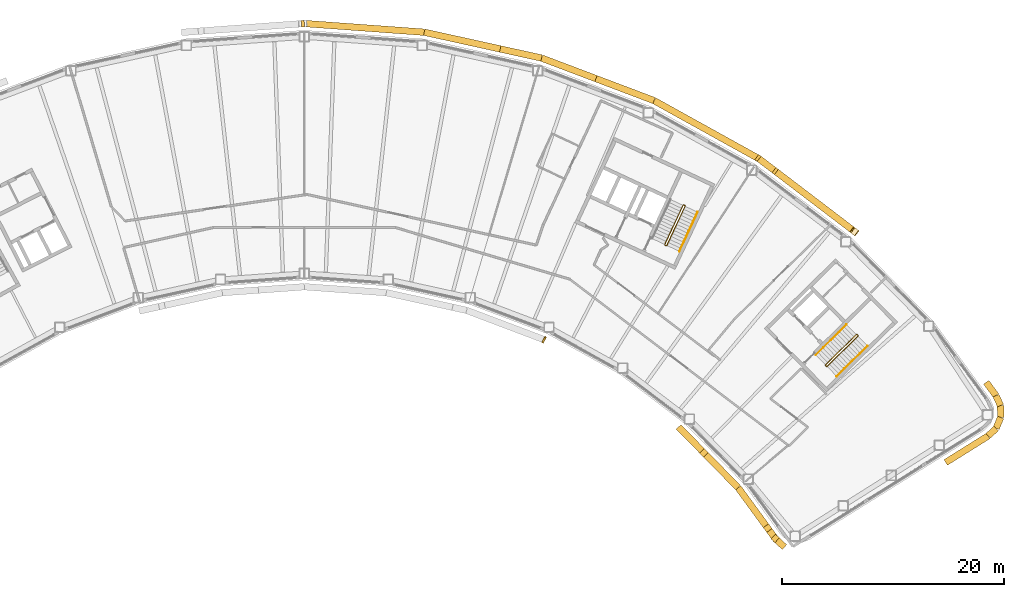
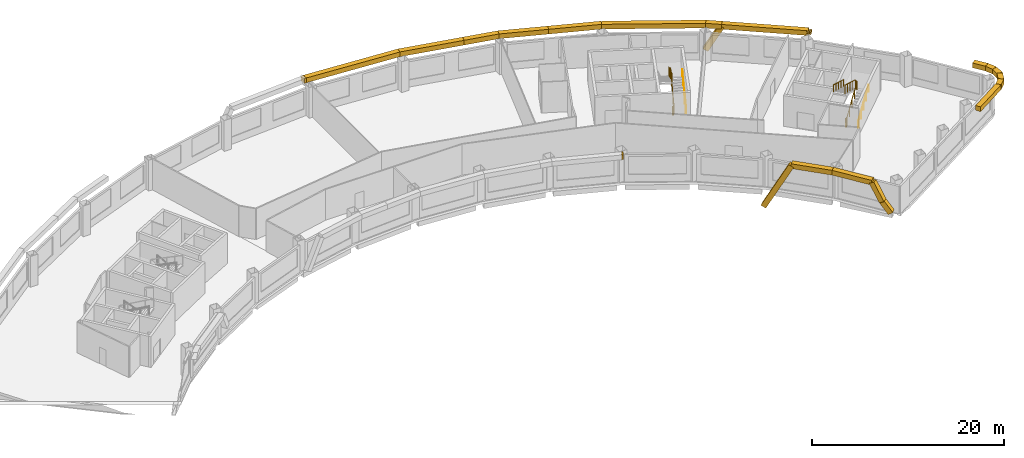
# One storey, part 12 of 12: 24 coverings, 5 railings.
"""IFC4 building model written with IfcOpenShell, lengths in metres."""

import ifcopenshell
import ifcopenshell.guid

model = None  # the IFC model being written
_history = None  # IfcOwnerHistory: only IFC2X3 demands one
_inside = {}  # id of a spatial element -> (the spatial element, [elements in it])
_under = {}  # id of a project, library or spatial element -> (it, [spatial elements below it])
_declared = {}  # id of a project -> (the project, [libraries it declares])
_typed = {}  # id of a type object -> (the type object, [elements of that type])
_made_of = {}  # id of a material, layer set ... -> (it, [elements and type objects made of it])


def new_model(schema):
    """Start an empty IFC model of exactly this schema.

    Asked for "IFC4X3", IfcOpenShell would pick the latest addendum, in which some entities
    have other attributes; the version numbers below select the first issue.
    IFC2X3 requires an IfcOwnerHistory on every rooted entity: one is made here for all.
    """
    global model, _history
    if schema == "IFC4X3":
        model = ifcopenshell.file(schema_version=(4, 3, 0, 0))
    else:
        model = ifcopenshell.file(schema=schema)
    _inside.clear()
    _under.clear()
    _declared.clear()
    _typed.clear()
    _made_of.clear()
    _history = None
    if model.schema == "IFC2X3":
        org = make("IfcOrganization", Name="unknown")
        user = make(
            "IfcPersonAndOrganization",
            ThePerson=make("IfcPerson", FamilyName="unknown"),
            TheOrganization=org,
        )
        app = make(
            "IfcApplication",
            ApplicationDeveloper=org,
            Version="unknown",
            ApplicationFullName="unknown",
            ApplicationIdentifier="unknown",
        )
        _history = make(
            "IfcOwnerHistory",
            OwningUser=user,
            OwningApplication=app,
            ChangeAction="ADDED",
            CreationDate=0,
        )
    return model


def make(cls, **values):
    """One entity of the class cls with the attributes given. An attribute that is None is left unset."""
    return model.create_entity(
        cls, **{name: value for name, value in values.items() if value is not None}
    )


def rooted(cls, **values):
    """An entity with a GlobalId (a new one), such as an element, a storey or a relation."""
    return make(cls, GlobalId=ifcopenshell.guid.new(), OwnerHistory=_history, **values)


def si_unit(unit_type, name, prefix=None):
    """IfcSIUnit, for example si_unit("LENGTHUNIT", "METRE", prefix="MILLI")."""
    return make("IfcSIUnit", UnitType=unit_type, Prefix=prefix, Name=name)


def assignment(units):
    """IfcUnitAssignment: the units of a project."""
    return None if units is None else make("IfcUnitAssignment", Units=units)


def point(xyz):
    """IfcCartesianPoint."""
    return None if xyz is None else make("IfcCartesianPoint", Coordinates=xyz)


def direction(xyz):
    """IfcDirection."""
    return None if xyz is None else make("IfcDirection", DirectionRatios=xyz)


def frame(location, z_axis=None, x_axis=None):
    """IfcAxis2Placement3D, a coordinate frame: its origin and axes. An axis left out is left unset."""
    return make(
        "IfcAxis2Placement3D",
        Location=point(location),
        Axis=direction(z_axis),
        RefDirection=direction(x_axis),
    )


def frame_2d(location, x_axis=None):
    """IfcAxis2Placement2D, a coordinate frame in the plane: its origin and x axis."""
    return make(
        "IfcAxis2Placement2D", Location=point(location), RefDirection=direction(x_axis)
    )


def origin():
    """The frame at (0, 0, 0) with its axes left unset."""
    return frame((0.0, 0.0, 0.0))


def origin_2d():
    """The frame at (0, 0) in the plane with its x axis left unset."""
    return frame_2d((0.0, 0.0))


def place(relative_to, where):
    """IfcLocalPlacement: puts the frame where relative to a parent placement (None: the world)."""
    return make(
        "IfcLocalPlacement", PlacementRelTo=relative_to, RelativePlacement=where
    )


def context(
    kind, dimensions, precision=None, world=None, true_north=None, identifier=None
):
    """IfcGeometricRepresentationContext, for example the 3D "Model" context."""
    return make(
        "IfcGeometricRepresentationContext",
        ContextIdentifier=identifier,
        ContextType=kind,
        CoordinateSpaceDimension=dimensions,
        Precision=precision,
        WorldCoordinateSystem=world,
        TrueNorth=true_north,
    )


def subcontext(parent, identifier, kind, view, scale=None):
    """IfcGeometricRepresentationSubContext, for example "Body" below "Model"."""
    return make(
        "IfcGeometricRepresentationSubContext",
        ContextIdentifier=identifier,
        ContextType=kind,
        ParentContext=parent,
        TargetScale=scale,
        TargetView=view,
    )


def project(units=None, contexts=None):
    """IfcProject with its units and contexts."""
    return rooted(
        "IfcProject",
        Name="project",
        RepresentationContexts=contexts,
        UnitsInContext=assignment(units),
    )


def spatial(cls, under=None, at=None, **own):
    """A site, building, storey or space (cls), placed at a placement, below another one or the project."""
    s = rooted(cls, ObjectPlacement=at, **own)
    if under is not None:
        _under.setdefault(under.id(), (under, []))[1].append(s)
    return s


def profile(cls, at=None, kind="AREA", **sizes):
    """A parametric profile (cls). Its sizes go by their IFC names, for example OverallWidth=200.0."""
    return make(cls, ProfileType=kind, Position=at, **sizes)


def rectangle(**sizes):
    """IfcRectangleProfileDef."""
    return profile("IfcRectangleProfileDef", **sizes)


def circle(**sizes):
    """IfcCircleProfileDef."""
    return profile("IfcCircleProfileDef", **sizes)


def extrude(swept, where, along, depth):
    """IfcExtrudedAreaSolid: the profile swept, set in the frame where, extruded along a direction by depth."""
    return make(
        "IfcExtrudedAreaSolid",
        SweptArea=swept,
        Position=where,
        ExtrudedDirection=direction(along),
        Depth=depth,
    )


def shape(context_of_items, identifier, shape_type, items):
    """IfcShapeRepresentation: the items that make up one representation, for example the "Body"."""
    return make(
        "IfcShapeRepresentation",
        ContextOfItems=context_of_items,
        RepresentationIdentifier=identifier,
        RepresentationType=shape_type,
        Items=items,
    )


def material(Name=None, Category=None):
    """IfcMaterial."""
    return make("IfcMaterial", Name=Name, Category=Category)


def material_profile(
    of_material, cross_section, Name=None, Category=None, Priority=None
):
    """IfcMaterialProfile: a cross section and its material."""
    return make(
        "IfcMaterialProfile",
        Name=Name,
        Material=of_material,
        Profile=cross_section,
        Priority=Priority,
        Category=Category,
    )


def profile_set(profiles, Name=None, composite=None):
    """IfcMaterialProfileSet."""
    return make(
        "IfcMaterialProfileSet",
        Name=Name,
        MaterialProfiles=profiles,
        CompositeProfile=composite,
    )


def made_of(thing, what):
    """Note that an element or type object is made of a material, layer set ...; save() writes the relation."""
    if what is not None:
        _made_of.setdefault(what.id(), (what, []))[1].append(thing)
    return thing


def type_object(cls, material=None, **own):
    """A type object (cls), such as IfcWallType, which elements share."""
    return made_of(rooted(cls, **own), material)


def element(
    cls,
    number,
    at=None,
    inside=None,
    cuts=None,
    type_object=None,
    material=None,
    context=None,
    identifier="Body",
    shape_type=None,
    held_by="IfcProductDefinitionShape",
    body=None,
    shapes=None,
    **own,
):
    """One element of the class cls, such as IfcWall. Its Tag is "e" and its number.

    at: its placement. inside: the storey or other place that contains it. cuts: it is an
    opening in that element (IfcRelVoidsElement). A single representation is given by context,
    identifier, shape_type and body (its items); several are given by shapes. held_by: the class
    of the entity that holds the representations. save() writes the other relations.
    """
    e = rooted(cls, Tag="e%d" % number, ObjectPlacement=at, **own)
    if body is not None:
        shapes = [shape(context, identifier, shape_type, body)]
    if shapes is not None:
        e.Representation = make(held_by, Representations=shapes)
    if inside is not None:
        _inside.setdefault(inside.id(), (inside, []))[1].append(e)
    if cuts is not None:
        rooted(
            "IfcRelVoidsElement", RelatingBuildingElement=cuts, RelatedOpeningElement=e
        )
    if type_object is not None:
        _typed.setdefault(type_object.id(), (type_object, []))[1].append(e)
    return made_of(e, material)


def aggregate(whole, parts):
    """IfcRelAggregates: a whole, such as a stair, and the parts it consists of."""
    return rooted("IfcRelAggregates", RelatingObject=whole, RelatedObjects=parts)


def save(model, path):
    """Write the relations noted so far, then the file.

    IfcRelAggregates (storeys below a building ...), IfcRelContainedInSpatialStructure (elements
    in a storey), IfcRelDefinesByType, IfcRelAssociatesMaterial and IfcRelDeclares: one each for
    every whole, place, type object, material and project.
    """
    for whole, parts in _under.values():
        aggregate(whole, parts)
    for where, things in _inside.values():
        rooted(
            "IfcRelContainedInSpatialStructure",
            RelatedElements=things,
            RelatingStructure=where,
        )
    for kind, things in _typed.values():
        rooted("IfcRelDefinesByType", RelatedObjects=things, RelatingType=kind)
    for what, things in _made_of.values():
        rooted("IfcRelAssociatesMaterial", RelatedObjects=things, RelatingMaterial=what)
    for by, libraries in _declared.values():
        rooted("IfcRelDeclares", RelatingContext=by, RelatedDefinitions=libraries)
    model.write(path)


model = new_model("IFC4")

# Units and contexts
model_context = context("Model", 3, precision=1e-05, world=origin(), true_north=direction((0.0, 1.0)))
body_context = subcontext(model_context, "Body", "Model", "MODEL_VIEW")
ifc_project = project(units=[si_unit("LENGTHUNIT", "METRE"), si_unit("AREAUNIT", "SQUARE_METRE"), si_unit("VOLUMEUNIT", "CUBIC_METRE"), si_unit("PLANEANGLEUNIT", "RADIAN"), si_unit("MASSUNIT", "GRAM", prefix="KILO")], contexts=[model_context])

# Site, building, storey
site_placement = place(None, origin())
site = spatial("IfcSite", under=ifc_project, at=site_placement, CompositionType="ELEMENT")
building_placement = place(site_placement, origin())
building = spatial("IfcBuilding", under=site, at=building_placement, Name="Tuul Gate Civic Tower", CompositionType="ELEMENT")
storey_placement = place(building_placement, frame((0.0, 0.0, 193.10009765625)))
storey = spatial("IfcBuildingStorey", under=building, at=storey_placement, Name="Level 44", CompositionType="ELEMENT", Elevation=193.10009765625)

# Railings
ifc_material_1 = material(Name="Painted steel", Category="steel")
railing_type_1 = type_object("IfcRailingType", Name="Stair guard", PredefinedType="GUARDRAIL", material=ifc_material_1)
railing_1_placement = place(storey_placement, frame((48.10546875, -16.134765625, 0.0)))
element("IfcRailing", 1, at=railing_1_placement, inside=storey, type_object=railing_type_1, Name="Level 44 ST-3 stair guard 1", PredefinedType="GUARDRAIL", context=body_context, shape_type="SweptSolid", body=[
    extrude(circle(Radius=0.02392578125, at=origin_2d()), frame((0.0, 0.0, 1.076171875), z_axis=(-0.698506948293, 0.715603272202, 0.0), x_axis=(-0.715603272202, -0.698506948293, 0.0)), (0.0, 0.0, 1.0), 0.099853515625),
    extrude(circle(Radius=0.02392578125, at=origin_2d()), frame((-0.06982421875, 0.071533203125, 1.076171875), z_axis=(0.645446321009, -0.331687692741, 0.688027849131), x_axis=(0.457068866502, 0.889431307788, 0.0)), (0.0, 0.0, 1.0), 0.2177734375),
    extrude(circle(Radius=0.02392578125, at=origin_2d()), frame((0.07080078125, -0.000732421875, 1.22607421875), z_axis=(0.638731261263, 0.626133563701, 0.447190268558), x_axis=(-0.700029477518, 0.714113947914, 0.0)), (0.0, 0.0, 1.0), 4.3603515625),
    extrude(circle(Radius=0.02392578125, at=origin_2d()), frame((2.85595703125, 2.7294921875, 3.17578125), z_axis=(0.010380063588, 0.999946125689, 0.0), x_axis=(-0.999946125689, 0.010380063588, 0.0)), (0.0, 0.0, 1.0), 0.070556640625),
    extrude(circle(Radius=0.02392578125, at=origin_2d()), frame((2.856689453125, 2.800048828125, 3.17578125), z_axis=(-0.699754442181, 0.714383454909, 0.0), x_axis=(-0.714383454909, -0.699754442181, 0.0)), (0.0, 0.0, 1.0), 0.10009765625),
    extrude(circle(Radius=0.02392578125, at=origin_2d()), frame((2.78662109375, 2.87158203125, 3.17578125), z_axis=(-0.426501027327, 0.004412079593, 0.904476316574), x_axis=(-0.010344274102, -0.999946496565, 0.0)), (0.0, 0.0, 1.0), 0.166015625),
    extrude(circle(Radius=0.02392578125, at=origin_2d()), frame((2.7158203125, 2.872314453125, 3.326171875), z_axis=(-0.638731261263, -0.626133563701, 0.447190268558), x_axis=(0.700029477518, -0.714113947914, 0.0)), (0.0, 0.0, 1.0), 4.3603515625),
    extrude(circle(Radius=0.02099609375, at=origin_2d()), origin(), (0.0, 0.0, 1.0), 1.052001953125),
    extrude(circle(Radius=0.02099609375, at=origin_2d()), frame((-0.06982421875, 0.071533203125, 0.0)), (0.0, 0.0, 1.0), 1.052001953125),
    extrude(circle(Radius=0.02099609375, at=origin_2d()), frame((0.07080078125, -0.000732421875, 0.14990234375)), (0.0, 0.0, 1.0), 1.052001953125),
    extrude(circle(Radius=0.02099609375, at=origin_2d()), frame((0.76708984375, 0.681884765625, 0.637451171875)), (0.0, 0.0, 1.0), 1.052001953125),
    extrude(circle(Radius=0.02099609375, at=origin_2d()), frame((1.46337890625, 1.3642578125, 1.125)), (0.0, 0.0, 1.0), 1.052001953125),
    extrude(circle(Radius=0.02099609375, at=origin_2d()), frame((2.15966796875, 2.046875, 1.6123046875)), (0.0, 0.0, 1.0), 1.052001953125),
    extrude(circle(Radius=0.02099609375, at=origin_2d()), frame((2.85595703125, 2.7294921875, 2.099853515625)), (0.0, 0.0, 1.0), 1.052001953125),
    extrude(circle(Radius=0.02099609375, at=origin_2d()), frame((2.856689453125, 2.800048828125, 2.099853515625)), (0.0, 0.0, 1.0), 1.052001953125),
    extrude(circle(Radius=0.02099609375, at=origin_2d()), frame((2.78662109375, 2.87158203125, 2.099853515625)), (0.0, 0.0, 1.0), 1.052001953125),
    extrude(circle(Radius=0.02099609375, at=origin_2d()), frame((2.7158203125, 2.872314453125, 2.25)), (0.0, 0.0, 1.0), 1.052001953125),
    extrude(circle(Radius=0.02099609375, at=origin_2d()), frame((2.01953125, 2.189697265625, 2.737548828125)), (0.0, 0.0, 1.0), 1.052001953125),
    extrude(circle(Radius=0.02099609375, at=origin_2d()), frame((1.3232421875, 1.50732421875, 3.22509765625)), (0.0, 0.0, 1.0), 1.052001953125),
    extrude(circle(Radius=0.02099609375, at=origin_2d()), frame((0.626953125, 0.82470703125, 3.71240234375)), (0.0, 0.0, 1.0), 1.052001953125),
    extrude(circle(Radius=0.02099609375, at=origin_2d()), frame((-0.0693359375, 0.14208984375, 4.199951171875)), (0.0, 0.0, 1.0), 1.052001953125),
])
railing_2_placement = place(storey_placement, frame((33.645751953125, -5.238525390625, 0.0)))
element("IfcRailing", 2, at=railing_2_placement, inside=storey, type_object=railing_type_1, Name="Level 44 ST-4 stair guard 1", PredefinedType="GUARDRAIL", context=body_context, shape_type="SweptSolid", body=[
    extrude(circle(Radius=0.02392578125, at=origin_2d()), frame((0.0, 0.0, 1.076171875), z_axis=(-0.906307919131, 0.422617978463, 0.0), x_axis=(-0.422617978463, -0.906307919131, 0.0)), (0.0, 0.0, 1.0), 0.099853515625),
    extrude(circle(Radius=0.02392578125, at=origin_2d()), frame((-0.090576171875, 0.042236328125, 1.076171875), z_axis=(0.720735628292, -0.082946246491, 0.688229666829), x_axis=(0.114330889033, 0.993442724979, 0.0)), (0.0, 0.0, 1.0), 0.2177734375),
    extrude(circle(Radius=0.02392578125, at=origin_2d()), frame((0.06640625, 0.024169921875, 1.22607421875), z_axis=(0.377946903738, 0.810654114417, 0.447209173356), x_axis=(-0.906336612539, 0.422556439746, 0.0)), (0.0, 0.0, 1.0), 4.3603515625),
    extrude(circle(Radius=0.02392578125, at=origin_2d()), frame((1.71435546875, 3.558837890625, 3.17578125), z_axis=(-0.342020437038, 0.939692513883, 0.0), x_axis=(-0.939692513883, -0.342020437038, 0.0)), (0.0, 0.0, 1.0), 0.070556640625),
    extrude(circle(Radius=0.02392578125, at=origin_2d()), frame((1.690185546875, 3.625244140625, 3.17578125), z_axis=(-0.906307919131, 0.422617978463, 0.0), x_axis=(-0.422617978463, -0.906307919131, 0.0)), (0.0, 0.0, 1.0), 0.099853515625),
    extrude(circle(Radius=0.02392578125, at=origin_2d()), frame((1.599609375, 3.66748046875, 3.17578125), z_axis=(-0.400168791901, -0.145649670582, 0.904793408159), x_axis=(0.342020437038, -0.939692513883, 0.0)), (0.0, 0.0, 1.0), 0.166015625),
    extrude(circle(Radius=0.02392578125, at=origin_2d()), frame((1.533203125, 3.643310546875, 3.326171875), z_axis=(-0.377946903738, -0.810654114417, 0.447209173356), x_axis=(0.906336612539, -0.422556439746, 0.0)), (0.0, 0.0, 1.0), 4.3603515625),
    extrude(circle(Radius=0.02099609375, at=origin_2d()), origin(), (0.0, 0.0, 1.0), 1.052001953125),
    extrude(circle(Radius=0.02099609375, at=origin_2d()), frame((-0.090576171875, 0.042236328125, 0.0)), (0.0, 0.0, 1.0), 1.052001953125),
    extrude(circle(Radius=0.02099609375, at=origin_2d()), frame((0.06640625, 0.024169921875, 0.14990234375)), (0.0, 0.0, 1.0), 1.052001953125),
    extrude(circle(Radius=0.02099609375, at=origin_2d()), frame((0.478515625, 0.90771484375, 0.637451171875)), (0.0, 0.0, 1.0), 1.052001953125),
    extrude(circle(Radius=0.02099609375, at=origin_2d()), frame((0.890380859375, 1.79150390625, 1.125)), (0.0, 0.0, 1.0), 1.052001953125),
    extrude(circle(Radius=0.02099609375, at=origin_2d()), frame((1.30224609375, 2.67529296875, 1.6123046875)), (0.0, 0.0, 1.0), 1.052001953125),
    extrude(circle(Radius=0.02099609375, at=origin_2d()), frame((1.71435546875, 3.558837890625, 2.099853515625)), (0.0, 0.0, 1.0), 1.052001953125),
    extrude(circle(Radius=0.02099609375, at=origin_2d()), frame((1.690185546875, 3.625244140625, 2.099853515625)), (0.0, 0.0, 1.0), 1.052001953125),
    extrude(circle(Radius=0.02099609375, at=origin_2d()), frame((1.599609375, 3.66748046875, 2.099853515625)), (0.0, 0.0, 1.0), 1.052001953125),
    extrude(circle(Radius=0.02099609375, at=origin_2d()), frame((1.533203125, 3.643310546875, 2.25)), (0.0, 0.0, 1.0), 1.052001953125),
    extrude(circle(Radius=0.02099609375, at=origin_2d()), frame((1.12109375, 2.759765625, 2.737548828125)), (0.0, 0.0, 1.0), 1.052001953125),
    extrude(circle(Radius=0.02099609375, at=origin_2d()), frame((0.709228515625, 1.8759765625, 3.22509765625)), (0.0, 0.0, 1.0), 1.052001953125),
    extrude(circle(Radius=0.02099609375, at=origin_2d()), frame((0.29736328125, 0.9921875, 3.71240234375)), (0.0, 0.0, 1.0), 1.052001953125),
    extrude(circle(Radius=0.02099609375, at=origin_2d()), frame((-0.11474609375, 0.108642578125, 4.199951171875)), (0.0, 0.0, 1.0), 1.052001953125),
])
ifc_material_2 = material(Name="Painted steel", Category="steel")
railing_type_2 = type_object("IfcRailingType", Name="Stair handrail", PredefinedType="HANDRAIL", material=ifc_material_2)
railing_3_placement = place(storey_placement, frame((49.05126953125, -17.028076171875, 0.14990234375)))
element("IfcRailing", 3, at=railing_3_placement, inside=storey, type_object=railing_type_2, Name="Level 44 ST-3 stair handrail 1", PredefinedType="HANDRAIL", context=body_context, shape_type="SweptSolid", body=[
    extrude(circle(Radius=0.02392578125, at=origin_2d()), frame((0.0, 0.0, 0.8759765625), z_axis=(0.638753653487, 0.626099522554, 0.447205945863), x_axis=(-0.699997553204, 0.714145241186, 0.0)), (0.0, 0.0, 1.0), 4.3603515625),
    extrude(circle(Radius=0.02099609375, at=origin_2d()), origin(), (0.0, 0.0, 1.0), 0.851806640625),
    extrude(circle(Radius=0.02099609375, at=origin_2d()), frame((0.6962890625, 0.6826171875, 0.487548828125)), (0.0, 0.0, 1.0), 0.851806640625),
    extrude(circle(Radius=0.02099609375, at=origin_2d()), frame((1.392578125, 1.364990234375, 0.97509765625)), (0.0, 0.0, 1.0), 0.851806640625),
    extrude(circle(Radius=0.02099609375, at=origin_2d()), frame((2.0888671875, 2.04736328125, 1.46240234375)), (0.0, 0.0, 1.0), 0.851806640625),
    extrude(circle(Radius=0.02099609375, at=origin_2d()), frame((2.78515625, 2.72998046875, 1.949951171875)), (0.0, 0.0, 1.0), 0.851806640625),
])
railing_4_placement = place(storey_placement, frame((49.9462890625, -12.369873046875, 2.25)))
element("IfcRailing", 4, at=railing_4_placement, inside=storey, type_object=railing_type_2, Name="Level 44 ST-3 stair handrail 2", PredefinedType="HANDRAIL", context=body_context, shape_type="SweptSolid", body=[
    extrude(circle(Radius=0.02392578125, at=origin_2d()), frame((0.0, 0.0, 0.8759765625), z_axis=(-0.638753653487, -0.626099522554, 0.447205945863), x_axis=(0.699997553204, -0.714145241186, 0.0)), (0.0, 0.0, 1.0), 4.3603515625),
    extrude(circle(Radius=0.02099609375, at=origin_2d()), origin(), (0.0, 0.0, 1.0), 0.851806640625),
    extrude(circle(Radius=0.02099609375, at=origin_2d()), frame((-0.6962890625, -0.6826171875, 0.487548828125)), (0.0, 0.0, 1.0), 0.851806640625),
    extrude(circle(Radius=0.02099609375, at=origin_2d()), frame((-1.392578125, -1.364990234375, 0.97509765625)), (0.0, 0.0, 1.0), 0.851806640625),
    extrude(circle(Radius=0.02099609375, at=origin_2d()), frame((-2.0888671875, -2.04736328125, 1.46240234375)), (0.0, 0.0, 1.0), 0.851806640625),
    extrude(circle(Radius=0.02099609375, at=origin_2d()), frame((-2.78515625, -2.72998046875, 1.949951171875)), (0.0, 0.0, 1.0), 0.851806640625),
])
railing_5_placement = place(storey_placement, frame((34.844970703125, -5.74267578125, 0.14990234375)))
element("IfcRailing", 5, at=railing_5_placement, inside=storey, type_object=railing_type_2, Name="Level 44 ST-4 stair handrail 1", PredefinedType="HANDRAIL", context=body_context, shape_type="SweptSolid", body=[
    extrude(circle(Radius=0.02392578125, at=origin_2d()), frame((0.0, 0.0, 0.8759765625), z_axis=(0.377994896215, 0.810636958585, 0.447199709091), x_axis=(-0.906312636903, 0.422607861012, 0.0)), (0.0, 0.0, 1.0), 4.3603515625),
    extrude(circle(Radius=0.02099609375, at=origin_2d()), origin(), (0.0, 0.0, 1.0), 0.851806640625),
    extrude(circle(Radius=0.02099609375, at=origin_2d()), frame((0.412109375, 0.8837890625, 0.487548828125)), (0.0, 0.0, 1.0), 0.851806640625),
    extrude(circle(Radius=0.02099609375, at=origin_2d()), frame((0.82421875, 1.767333984375, 0.97509765625)), (0.0, 0.0, 1.0), 0.851806640625),
    extrude(circle(Radius=0.02099609375, at=origin_2d()), frame((1.236083984375, 2.65087890625, 1.46240234375)), (0.0, 0.0, 1.0), 0.851806640625),
    extrude(circle(Radius=0.02099609375, at=origin_2d()), frame((1.648193359375, 3.53466796875, 1.949951171875)), (0.0, 0.0, 1.0), 0.851806640625),
])

# Coverings
ifc_material_3 = material(Name="Terracotta baguette", Category="masonry")
ifc_material_profile = material_profile(ifc_material_3, rectangle(XDim=0.60009765625, YDim=0.60009765625, at=origin_2d()), Name="Terracotta baguette screen frame")
ifc_profile_set = profile_set([ifc_material_profile], Name="Terracotta baguette")
covering_type = type_object("IfcCoveringType", Name="Terracotta baguette screen frame", PredefinedType="CLADDING", material=ifc_profile_set)
covering_1_placement = place(storey_placement, frame((58.89111328125, -24.809814453125, 3.849853515625), z_axis=(0.848058898511, 0.529901976461, 0.0), x_axis=(-0.529901976461, 0.848058898511, 0.0)))
element("IfcCovering", 6, at=covering_1_placement, inside=storey, type_object=covering_type, Name="Baguette 11", PredefinedType="CLADDING", context=body_context, shape_type="SweptSolid", body=[
    extrude(rectangle(XDim=0.60009765625, YDim=0.60009765625, at=origin_2d()), origin(), (0.0, 0.0, 1.0), 4.526611328125),
])
covering_2_placement = place(storey_placement, frame((62.72998046875, -22.4111328125, 3.849853515625), z_axis=(0.722137314744, 0.691749737011, 0.0), x_axis=(-0.691749737011, 0.722137314744, 0.0)))
element("IfcCovering", 7, at=covering_2_placement, inside=storey, type_object=covering_type, Name="Baguette 12", PredefinedType="CLADDING", context=body_context, shape_type="SweptSolid", body=[
    extrude(rectangle(XDim=0.60009765625, YDim=0.60009765625, at=origin_2d()), origin(), (0.0, 0.0, 1.0), 0.98828125),
])
covering_3_placement = place(storey_placement, frame((63.443603515625, -21.7275390625, 3.849853515625), z_axis=(0.385784883999, 0.922588761734, 0.0), x_axis=(-0.922588761734, 0.385784883999, 0.0)))
element("IfcCovering", 8, at=covering_3_placement, inside=storey, type_object=covering_type, Name="Baguette 13", PredefinedType="CLADDING", context=body_context, shape_type="SweptSolid", body=[
    extrude(rectangle(XDim=0.60009765625, YDim=0.60009765625, at=origin_2d()), origin(), (0.0, 0.0, 1.0), 1.06689453125),
])
covering_4_placement = place(storey_placement, frame((63.855224609375, -20.7431640625, 3.849853515625), z_axis=(-0.014633694716, 0.999892921757, 0.0), x_axis=(-0.999892921757, -0.014633694716, 0.0)))
element("IfcCovering", 9, at=covering_4_placement, inside=storey, type_object=covering_type, Name="Baguette 14", PredefinedType="CLADDING", context=body_context, shape_type="SweptSolid", body=[
    extrude(rectangle(XDim=0.60009765625, YDim=0.60009765625, at=origin_2d()), origin(), (0.0, 0.0, 1.0), 1.067626953125),
])
covering_5_placement = place(storey_placement, frame((63.839599609375, -19.675537109375, 3.849853515625), z_axis=(-0.413393330634, 0.910552554325, 0.0), x_axis=(-0.910552554325, -0.413393330634, 0.0)))
element("IfcCovering", 10, at=covering_5_placement, inside=storey, type_object=covering_type, Name="Baguette 15", PredefinedType="CLADDING", context=body_context, shape_type="SweptSolid", body=[
    extrude(rectangle(XDim=0.60009765625, YDim=0.60009765625, at=origin_2d()), origin(), (0.0, 0.0, 1.0), 0.988037109375),
])
covering_6_placement = place(storey_placement, frame((63.43115234375, -18.77587890625, 3.849853515625), z_axis=(-0.589811807799, 0.807540730478, 0.0), x_axis=(-0.807540730478, -0.589811807799, 0.0)))
element("IfcCovering", 11, at=covering_6_placement, inside=storey, type_object=covering_type, Name="Baguette 16", PredefinedType="CLADDING", context=body_context, shape_type="SweptSolid", body=[
    extrude(rectangle(XDim=0.60009765625, YDim=0.60009765625, at=origin_2d()), origin(), (0.0, 0.0, 1.0), 1.49462890625),
])
covering_7_placement = place(storey_placement, frame((50.68359375, -3.97314453125, 3.933837890625), z_axis=(-0.583060886883, 0.444707456097, -0.679908288433), x_axis=(-0.606449175924, -0.795122252878, 0.0)))
element("IfcCovering", 12, at=covering_7_placement, inside=storey, type_object=covering_type, Name="Baguette 30", PredefinedType="CLADDING", context=body_context, shape_type="SweptSolid", body=[
    extrude(rectangle(XDim=0.60009765625, YDim=0.60009765625, at=origin_2d()), origin(), (0.0, 0.0, 1.0), 0.12353515625),
])
covering_8_placement = place(storey_placement, frame((50.611572265625, -3.918212890625, 3.849853515625), z_axis=(0.377826807686, -0.288172988913, -0.879888192815), x_axis=(0.606449175924, 0.795122252878, 0.0)))
element("IfcCovering", 13, at=covering_8_placement, inside=storey, type_object=covering_type, Name="Baguette 34", PredefinedType="CLADDING", context=body_context, shape_type="SweptSolid", body=[
    extrude(rectangle(XDim=0.60009765625, YDim=0.60009765625, at=origin_2d()), origin(), (0.0, 0.0, 1.0), 0.190673828125),
])
covering_9_placement = place(storey_placement, frame((50.611572265625, -3.918212890625, 3.849853515625), z_axis=(-0.795619472346, 0.605796711136, 0.0), x_axis=(-0.605796711136, -0.795619472346, 0.0)))
element("IfcCovering", 14, at=covering_9_placement, inside=storey, type_object=covering_type, Name="Baguette 36", PredefinedType="CLADDING", context=body_context, shape_type="SweptSolid", body=[
    extrude(rectangle(XDim=0.60009765625, YDim=0.60009765625, at=origin_2d()), origin(), (0.0, 0.0, 1.0), 9.072509765625),
])
covering_10_placement = place(storey_placement, frame((43.393310546875, 1.577880859375, 3.849853515625), z_axis=(-0.378068215842, 0.28784582991, -0.879891585579), x_axis=(-0.605768691074, -0.795640806467, 0.0)))
element("IfcCovering", 15, at=covering_10_placement, inside=storey, type_object=covering_type, Name="Baguette 41", PredefinedType="CLADDING", context=body_context, shape_type="SweptSolid", body=[
    extrude(rectangle(XDim=0.60009765625, YDim=0.60009765625, at=origin_2d()), origin(), (0.0, 0.0, 1.0), 3.552978515625),
])
covering_11_placement = place(storey_placement, frame((27.31640625, 9.843994140625, 3.849853515625), z_axis=(-0.935348272672, 0.353728156654, 0.0), x_axis=(-0.353728156654, -0.935348272672, 0.0)))
element("IfcCovering", 16, at=covering_11_placement, inside=storey, type_object=covering_type, Name="Baguette 57", PredefinedType="CLADDING", context=body_context, shape_type="SweptSolid", body=[
    extrude(rectangle(XDim=0.60009765625, YDim=0.60009765625, at=origin_2d()), origin(), (0.0, 0.0, 1.0), 5.24609375),
])
covering_12_placement = place(storey_placement, frame((22.409423828125, 11.69970703125, 3.849853515625), z_axis=(-0.976565402769, 0.215220849627, 0.0), x_axis=(-0.215220849627, -0.976565402769, 0.0)))
element("IfcCovering", 17, at=covering_12_placement, inside=storey, type_object=covering_type, Name="Baguette 58", PredefinedType="CLADDING", context=body_context, shape_type="SweptSolid", body=[
    extrude(rectangle(XDim=0.60009765625, YDim=0.60009765625, at=origin_2d()), origin(), (0.0, 0.0, 1.0), 3.826171875),
])
covering_13_placement = place(storey_placement, frame((22.57080078125, -13.69921875, 3.849853515625), z_axis=(0.874653893633, -0.48474794105, 0.0), x_axis=(0.48474794105, 0.874653893633, 0.0)))
element("IfcCovering", 18, at=covering_13_placement, inside=storey, type_object=covering_type, Name="Baguette 235", PredefinedType="CLADDING", context=body_context, shape_type="SweptSolid", body=[
    extrude(rectangle(XDim=0.60009765625, YDim=0.60009765625, at=origin_2d()), origin(), (0.0, 0.0, 1.0), 0.138916015625),
])
covering_14_placement = place(storey_placement, frame((37.0654296875, -23.936767578125, 3.849853515625), z_axis=(-0.326343492954, 0.332853708773, -0.884708049677), x_axis=(-0.714055329058, -0.700089270768, 0.0)))
element("IfcCovering", 19, at=covering_14_placement, inside=storey, type_object=covering_type, Name="Baguette 254", PredefinedType="CLADDING", context=body_context, shape_type="SweptSolid", body=[
    extrude(rectangle(XDim=0.60009765625, YDim=0.60009765625, at=origin_2d()), origin(), (0.0, 0.0, 1.0), 6.4501953125),
])
covering_15_placement = place(storey_placement, frame((37.0654296875, -23.936767578125, 3.849853515625), z_axis=(0.700097974416, -0.714046795538, 0.0), x_axis=(0.714046795538, 0.700097974416, 0.0)))
element("IfcCovering", 20, at=covering_15_placement, inside=storey, type_object=covering_type, Name="Baguette 256", PredefinedType="CLADDING", context=body_context, shape_type="SweptSolid", body=[
    extrude(rectangle(XDim=0.60009765625, YDim=0.60009765625, at=origin_2d()), origin(), (0.0, 0.0, 1.0), 4.41064453125),
])
covering_16_placement = place(storey_placement, frame((40.1533203125, -27.086181640625, 3.849853515625), z_axis=(0.589760566258, -0.807578153795, 0.0), x_axis=(0.807578153795, 0.589760566258, 0.0)))
element("IfcCovering", 21, at=covering_16_placement, inside=storey, type_object=covering_type, Name="Baguette 257", PredefinedType="CLADDING", context=body_context, shape_type="SweptSolid", body=[
    extrude(rectangle(XDim=0.60009765625, YDim=0.60009765625, at=origin_2d()), origin(), (0.0, 0.0, 1.0), 4.519287109375),
])
covering_17_placement = place(storey_placement, frame((42.818603515625, -30.73583984375, 3.849853515625), z_axis=(0.278589118083, -0.381633044218, -0.881330995056), x_axis=(0.807690018687, 0.589607355546, 0.0)))
element("IfcCovering", 22, at=covering_17_placement, inside=storey, type_object=covering_type, Name="Baguette 270", PredefinedType="CLADDING", context=body_context, shape_type="SweptSolid", body=[
    extrude(rectangle(XDim=0.60009765625, YDim=0.60009765625, at=origin_2d()), origin(), (0.0, 0.0, 1.0), 2.43798828125),
])
covering_18_placement = place(storey_placement, frame((43.497802734375, -31.666259765625, 1.701171875), z_axis=(0.418465914546, -0.391768534241, -0.819392271102), x_axis=(0.683436569223, 0.730009901199, 0.0)))
element("IfcCovering", 23, at=covering_18_placement, inside=storey, type_object=covering_type, Name="Baguette 271", PredefinedType="CLADDING", context=body_context, shape_type="SweptSolid", body=[
    extrude(rectangle(XDim=0.60009765625, YDim=0.60009765625, at=origin_2d()), origin(), (0.0, 0.0, 1.0), 1.572998046875),
])
covering_19_placement = place(storey_placement, frame((43.393310546875, 1.577880859375, 3.849853515625), z_axis=(-0.795640806467, 0.605768691074, 0.0), x_axis=(-0.605768691074, -0.795640806467, 0.0)))
element("IfcCovering", 24, at=covering_19_placement, inside=storey, type_object=covering_type, Name="Baguette 291", PredefinedType="CLADDING", context=body_context, shape_type="SweptSolid", body=[
    extrude(rectangle(XDim=0.60009765625, YDim=0.60009765625, at=origin_2d()), origin(), (0.0, 0.0, 1.0), 1.688232421875),
])
covering_20_placement = place(storey_placement, frame((42.050048828125, 2.6005859375, 3.849853515625), z_axis=(-0.874626999089, 0.484796464987, 0.0), x_axis=(-0.484796464987, -0.874626999089, 0.0)))
element("IfcCovering", 25, at=covering_20_placement, inside=storey, type_object=covering_type, Name="Baguette 292", PredefinedType="CLADDING", context=body_context, shape_type="SweptSolid", body=[
    extrude(rectangle(XDim=0.60009765625, YDim=0.60009765625, at=origin_2d()), origin(), (0.0, 0.0, 1.0), 10.8515625),
])
covering_21_placement = place(storey_placement, frame((32.55908203125, 7.861328125, 3.849853515625), z_axis=(-0.935348197385, 0.353728355731, 0.0), x_axis=(-0.353728355731, -0.935348197385, 0.0)))
element("IfcCovering", 26, at=covering_21_placement, inside=storey, type_object=covering_type, Name="Baguette 293", PredefinedType="CLADDING", context=body_context, shape_type="SweptSolid", body=[
    extrude(rectangle(XDim=0.60009765625, YDim=0.60009765625, at=origin_2d()), origin(), (0.0, 0.0, 1.0), 5.60498046875),
])
covering_22_placement = place(storey_placement, frame((18.6728515625, 12.523193359375, 3.849853515625), z_axis=(-0.976564178605, 0.215226404203, 0.0), x_axis=(-0.215226404203, -0.976564178605, 0.0)))
element("IfcCovering", 27, at=covering_22_placement, inside=storey, type_object=covering_type, Name="Baguette 299", PredefinedType="CLADDING", context=body_context, shape_type="SweptSolid", body=[
    extrude(rectangle(XDim=0.60009765625, YDim=0.60009765625, at=origin_2d()), origin(), (0.0, 0.0, 1.0), 7.02490234375),
])
covering_23_placement = place(storey_placement, frame((11.8125, 14.03515625, 3.849853515625), z_axis=(-0.997386817082, 0.072246363998, 0.0), x_axis=(-0.072246363998, -0.997386817082, 0.0)))
element("IfcCovering", 28, at=covering_23_placement, inside=storey, type_object=covering_type, Name="Baguette 300", PredefinedType="CLADDING", context=body_context, shape_type="SweptSolid", body=[
    extrude(rectangle(XDim=0.60009765625, YDim=0.60009765625, at=origin_2d()), origin(), (0.0, 0.0, 1.0), 10.850830078125),
])
covering_24_placement = place(storey_placement, frame((0.989990234375, 14.819091796875, 3.849853515625), z_axis=(-0.997365816959, -0.072535695779, 0.0), x_axis=(0.072535695779, -0.997365816959, 0.0)))
element("IfcCovering", 29, at=covering_24_placement, inside=storey, type_object=covering_type, Name="Baguette 301", PredefinedType="CLADDING", context=body_context, shape_type="SweptSolid", body=[
    extrude(rectangle(XDim=0.60009765625, YDim=0.60009765625, at=origin_2d()), origin(), (0.0, 0.0, 1.0), 0.269287109375),
])

save(model, "model.ifc")
